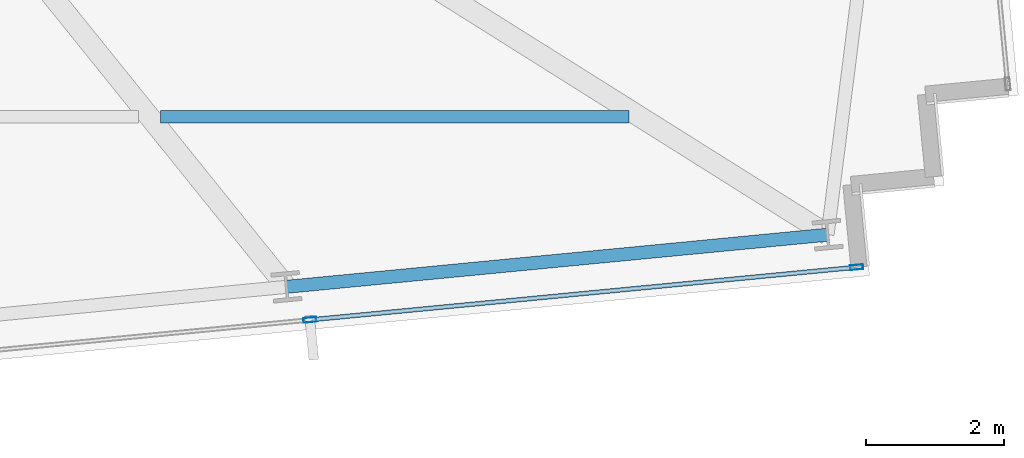
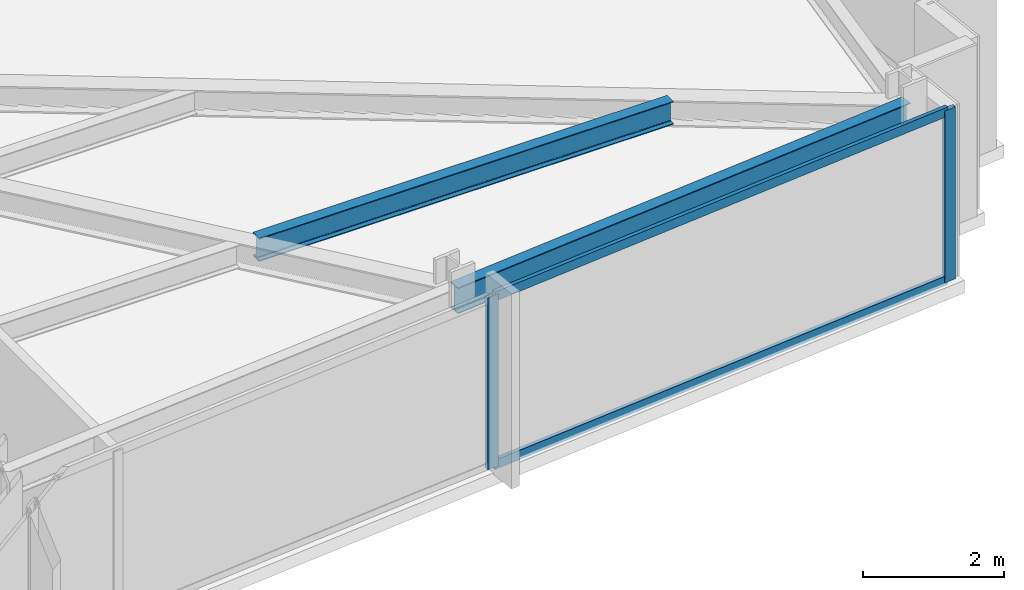
# One storey, part 12 of 32: 4 members, 2 beams, 1 element without a shape of its own.
"""IFC4 building model written with IfcOpenShell, lengths in metres."""

from ifc_helpers import new_model, si_unit, direction, frame, origin, origin_2d, place, context, subcontext, project, spatial, hollow_rectangle, i_section, extrude, material, material_profile, profile_set, type_object, element, aggregate, save


model = new_model("IFC4")

# Units and contexts
model_context = context("Model", 3, precision=1e-05, world=origin(), true_north=direction((0.0, 1.0)))
body_context = subcontext(model_context, "Body", "Model", "MODEL_VIEW")
ifc_project = project(units=[si_unit("LENGTHUNIT", "METRE"), si_unit("AREAUNIT", "SQUARE_METRE"), si_unit("VOLUMEUNIT", "CUBIC_METRE"), si_unit("PLANEANGLEUNIT", "RADIAN"), si_unit("MASSUNIT", "GRAM", prefix="KILO")], contexts=[model_context])

# Site, building, storey
site_placement = place(None, origin())
site = spatial("IfcSite", under=ifc_project, at=site_placement, CompositionType="ELEMENT")
building_placement = place(site_placement, origin())
building = spatial("IfcBuilding", under=site, at=building_placement, Name="Yelkora Congress Tower", CompositionType="ELEMENT")
storey_placement = place(building_placement, frame((0.0, 0.0, 133.89990234375)))
storey = spatial("IfcBuildingStorey", under=building, at=storey_placement, Name="L36", CompositionType="ELEMENT", Elevation=133.89990234375)

# Beams
ifc_material_1 = material(Name="Steel S355J2", Category="steel")
ifc_material_profile_1 = material_profile(ifc_material_1, i_section(OverallWidth=0.179931640625, OverallDepth=0.39990234375, WebThickness=0.008544921875, FlangeThickness=0.013427734375, FilletRadius=0.02099609375, at=origin_2d()), Name="IPE 400")
ifc_profile_set_1 = profile_set([ifc_material_profile_1], Name="Steel S355J2")
beam_type_1 = type_object("IfcBeamType", Name="BM-JOIST-IPE400", PredefinedType="JOIST", material=ifc_profile_set_1)
beam_1_placement = place(storey_placement, frame((65.056396484375, 16.144287109375, 2.780029296875), z_axis=(1.0, 0.0, 0.0), x_axis=(0.0, 1.0, 0.0)))
element("IfcBeam", 1, at=beam_1_placement, inside=storey, type_object=beam_type_1, Name="L36 Composite Floor Joist 10", PredefinedType="JOIST", context=body_context, shape_type="SweptSolid", body=[
    extrude(i_section(OverallWidth=0.179931640625, OverallDepth=0.39990234375, WebThickness=0.008544921875, FlangeThickness=0.013427734375, FilletRadius=0.02099609375, at=origin_2d()), origin(), (0.0, 0.0, 1.0), 6.795166015625),
])
ifc_material_profile_2 = material_profile(ifc_material_1, i_section(OverallWidth=0.18994140625, OverallDepth=0.449951171875, WebThickness=0.009521484375, FlangeThickness=0.0146484375, FilletRadius=0.02099609375, at=origin_2d()), Name="IPE 450")
ifc_profile_set_2 = profile_set([ifc_material_profile_2], Name="Steel S355J2")
beam_type_2 = type_object("IfcBeamType", Name="BM-SPAN-IPE450", PredefinedType="SPANDREL", material=ifc_profile_set_2)
beam_2_placement = place(storey_placement, frame((66.882568359375, 13.67919921875, 2.755126953125), z_axis=(0.995395575667, 0.095852219286, 0.0), x_axis=(-0.095852219286, 0.995395575667, 0.0)))
element("IfcBeam", 2, at=beam_2_placement, inside=storey, type_object=beam_type_2, Name="L36 Perimeter Beam 9", PredefinedType="SPANDREL", context=body_context, shape_type="SweptSolid", body=[
    extrude(i_section(OverallWidth=0.18994140625, OverallDepth=0.449951171875, WebThickness=0.009521484375, FlangeThickness=0.0146484375, FilletRadius=0.02099609375, at=origin_2d()), origin(), (0.0, 0.0, 1.0), 7.8857421875),
])

# Curtain wall, members
ifc_material_2 = material(Name="Anodised aluminium and insulated glass", Category="aluminium")
curtain_wall_type = type_object("IfcCurtainWallType", Name="CW-SYS-B2", PredefinedType="NOTDEFINED", material=ifc_material_2)
curtain_wall_placement = place(storey_placement, origin())
curtain_wall = element("IfcCurtainWall", 3, at=curtain_wall_placement, inside=storey, type_object=curtain_wall_type, Name="L36 Unitised Curtain Wall 20", PredefinedType="NOTDEFINED")
ifc_material_3 = material(Name="Anodised aluminium 6063-T6", Category="aluminium")
ifc_material_profile_3 = material_profile(ifc_material_3, hollow_rectangle(XDim=0.070068359375, YDim=0.18994140625, WallThickness=0.00390625, at=origin_2d()), Name="ALU 70x190x4")
ifc_profile_set_3 = profile_set([ifc_material_profile_3], Name="Anodised aluminium 6063-T6")
member_type_1 = type_object("IfcMemberType", Name="MEM-ML-B2", PredefinedType="MULLION", material=ifc_profile_set_3)
member_1_placement = place(storey_placement, frame((75.154052734375, 13.96337890625, 0.0), z_axis=(0.0, 0.0, 1.0), x_axis=(0.095844345816, -0.995396333816, 0.0)))
member_1 = element("IfcMember", 4, at=member_1_placement, type_object=member_type_1, Name="CW-B2 mullion 1", PredefinedType="MULLION", context=body_context, shape_type="SweptSolid", body=[
    extrude(hollow_rectangle(XDim=0.070068359375, YDim=0.18994140625, WallThickness=0.00390625, at=origin_2d()), origin(), (0.0, 0.0, 1.0), 2.97998046875),
])
member_2_placement = place(storey_placement, frame((67.222900390625, 13.19970703125, 0.0), z_axis=(0.0, 0.0, 1.0), x_axis=(0.095844345816, -0.995396333816, 0.0)))
member_2 = element("IfcMember", 5, at=member_2_placement, type_object=member_type_1, Name="CW-B2 mullion 2", PredefinedType="MULLION", context=body_context, shape_type="SweptSolid", body=[
    extrude(hollow_rectangle(XDim=0.070068359375, YDim=0.18994140625, WallThickness=0.00390625, at=origin_2d()), origin(), (0.0, 0.0, 1.0), 2.97998046875),
])
ifc_material_profile_4 = material_profile(ifc_material_3, hollow_rectangle(XDim=0.06494140625, YDim=0.159912109375, WallThickness=0.00390625, at=origin_2d()), Name="ALU 65x160x4")
ifc_profile_set_4 = profile_set([ifc_material_profile_4], Name="Anodised aluminium 6063-T6")
member_type_2 = type_object("IfcMemberType", Name="MEM-TR-B2", PredefinedType="USERDEFINED", material=ifc_profile_set_4)
member_3_placement = place(storey_placement, frame((75.119140625, 13.9599609375, 0.03271484375), z_axis=(-0.995397978421, -0.095827264157, 0.0), x_axis=(0.095827264157, -0.995397978421, 0.0)))
member_3 = element("IfcMember", 6, at=member_3_placement, type_object=member_type_2, Name="CW-B2 transom 1.1", ObjectType="TRANSOM", PredefinedType="USERDEFINED", context=body_context, shape_type="SweptSolid", body=[
    extrude(hollow_rectangle(XDim=0.06494140625, YDim=0.159912109375, WallThickness=0.00390625, at=origin_2d()), origin(), (0.0, 0.0, 1.0), 7.89794921875),
])
member_4_placement = place(storey_placement, frame((75.119140625, 13.9599609375, 2.947509765625), z_axis=(-0.995397978421, -0.095827264157, 0.0), x_axis=(0.095827264157, -0.995397978421, 0.0)))
member_4 = element("IfcMember", 7, at=member_4_placement, type_object=member_type_2, Name="CW-B2 transom 1.2", ObjectType="TRANSOM", PredefinedType="USERDEFINED", context=body_context, shape_type="SweptSolid", body=[
    extrude(hollow_rectangle(XDim=0.06494140625, YDim=0.159912109375, WallThickness=0.00390625, at=origin_2d()), origin(), (0.0, 0.0, 1.0), 7.89794921875),
])
aggregate(curtain_wall, [member_1, member_2, member_3, member_4])

save(model, "model.ifc")
